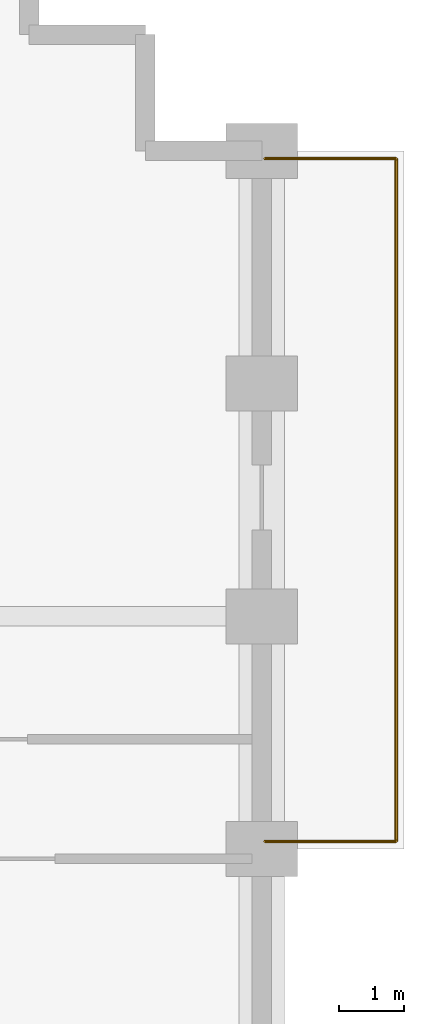
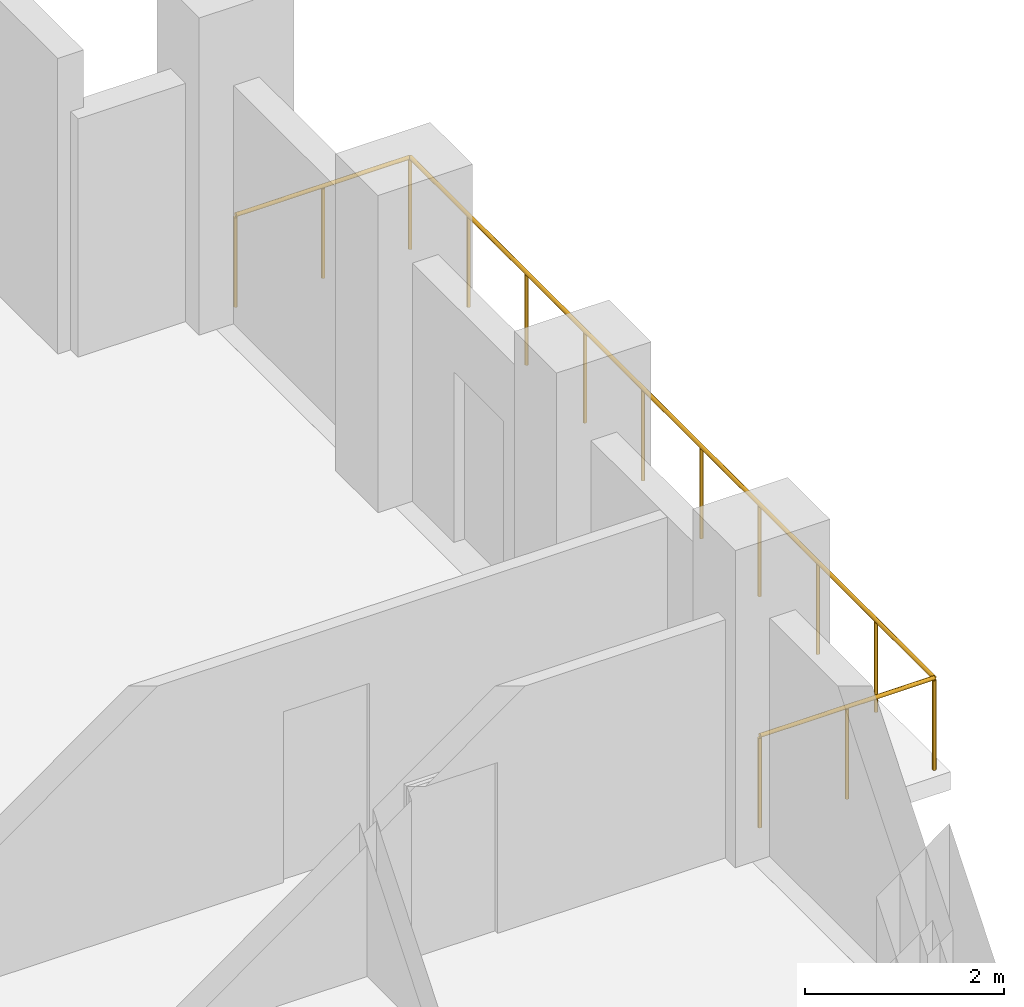
# One storey, part 8 of 8: 3 railings.
"""IFC4 building model written with IfcOpenShell, lengths in metres."""

from ifc_helpers import new_model, si_unit, direction, frame, origin, origin_2d, place, context, subcontext, project, spatial, circle, extrude, material, type_object, element, save


model = new_model("IFC4")

# Units and contexts
model_context = context("Model", 3, precision=1e-05, world=origin(), true_north=direction((0.0, 1.0)))
body_context = subcontext(model_context, "Body", "Model", "MODEL_VIEW")
ifc_project = project(units=[si_unit("LENGTHUNIT", "METRE"), si_unit("AREAUNIT", "SQUARE_METRE"), si_unit("VOLUMEUNIT", "CUBIC_METRE"), si_unit("PLANEANGLEUNIT", "RADIAN"), si_unit("MASSUNIT", "GRAM", prefix="KILO")], contexts=[model_context])

# Site, building, storey
site_placement = place(None, origin())
site = spatial("IfcSite", under=ifc_project, at=site_placement, CompositionType="ELEMENT")
building_placement = place(site_placement, origin())
building = spatial("IfcBuilding", under=site, at=building_placement, Name="Solnavia Interchange Tower", CompositionType="ELEMENT")
storey_placement = place(building_placement, frame((0.0, 0.0, 84.0)))
storey = spatial("IfcBuildingStorey", under=building, at=storey_placement, Name="L20", CompositionType="ELEMENT", Elevation=84.0)

# Railings
ifc_material = material(Name="Laminated Safety Glass & Stainless Steel", Category="steel")
railing_type = type_object("IfcRailingType", Name="Railing-TerraceGuard-1150", PredefinedType="GUARDRAIL", material=ifc_material)
railing_1_placement = place(storey_placement, frame((57.64990234375, 10.919921875, -0.0400390625)))
element("IfcRailing", 1, at=railing_1_placement, inside=storey, type_object=railing_type, Name="GRD-L20-TER-01 Perimeter terrace guardrail", PredefinedType="GUARDRAIL", context=body_context, shape_type="SweptSolid", body=[
    extrude(circle(Radius=0.02392578125, at=origin_2d()), frame((0.0, 0.0, 1.1259765625), z_axis=(1.0, 0.0, 0.0), x_axis=(0.0, 1.0, 0.0)), (0.0, 0.0, 1.0), 2.030029296875),
    extrude(circle(Radius=0.02099609375, at=origin_2d()), origin(), (0.0, 0.0, 1.0), 1.101806640625),
    extrude(circle(Radius=0.02099609375, at=origin_2d()), frame((1.01513671875, 0.0, 0.0)), (0.0, 0.0, 1.0), 1.101806640625),
    extrude(circle(Radius=0.02099609375, at=origin_2d()), frame((2.030029296875, 0.0, 0.0)), (0.0, 0.0, 1.0), 1.101806640625),
])
railing_2_placement = place(storey_placement, frame((59.679931640625, 10.919921875, -0.0400390625)))
element("IfcRailing", 2, at=railing_2_placement, inside=storey, type_object=railing_type, Name="GRD-L20-TER-02 Perimeter terrace guardrail", PredefinedType="GUARDRAIL", context=body_context, shape_type="SweptSolid", body=[
    extrude(circle(Radius=0.02392578125, at=origin_2d()), frame((0.0, 0.0, 1.1259765625), z_axis=(0.0, 1.0, 0.0), x_axis=(-1.0, 0.0, 0.0)), (0.0, 0.0, 1.0), 10.56005859375),
    extrude(circle(Radius=0.02099609375, at=origin_2d()), origin(), (0.0, 0.0, 1.0), 1.101806640625),
    extrude(circle(Radius=0.02099609375, at=origin_2d()), frame((0.0, 1.17333984375, 0.0)), (0.0, 0.0, 1.0), 1.101806640625),
    extrude(circle(Radius=0.02099609375, at=origin_2d()), frame((0.0, 2.3466796875, 0.0)), (0.0, 0.0, 1.0), 1.101806640625),
    extrude(circle(Radius=0.02099609375, at=origin_2d()), frame((0.0, 3.52001953125, 0.0)), (0.0, 0.0, 1.0), 1.101806640625),
    extrude(circle(Radius=0.02099609375, at=origin_2d()), frame((0.0, 4.693359375, 0.0)), (0.0, 0.0, 1.0), 1.101806640625),
    extrude(circle(Radius=0.02099609375, at=origin_2d()), frame((0.0, 5.86669921875, 0.0)), (0.0, 0.0, 1.0), 1.101806640625),
    extrude(circle(Radius=0.02099609375, at=origin_2d()), frame((0.0, 7.0400390625, 0.0)), (0.0, 0.0, 1.0), 1.101806640625),
    extrude(circle(Radius=0.02099609375, at=origin_2d()), frame((0.0, 8.21337890625, 0.0)), (0.0, 0.0, 1.0), 1.101806640625),
    extrude(circle(Radius=0.02099609375, at=origin_2d()), frame((0.0, 9.38671875, 0.0)), (0.0, 0.0, 1.0), 1.101806640625),
    extrude(circle(Radius=0.02099609375, at=origin_2d()), frame((0.0, 10.56005859375, 0.0)), (0.0, 0.0, 1.0), 1.101806640625),
])
railing_3_placement = place(storey_placement, frame((59.679931640625, 21.47998046875, -0.0400390625)))
element("IfcRailing", 3, at=railing_3_placement, inside=storey, type_object=railing_type, Name="GRD-L20-TER-03 Perimeter terrace guardrail", PredefinedType="GUARDRAIL", context=body_context, shape_type="SweptSolid", body=[
    extrude(circle(Radius=0.02392578125, at=origin_2d()), frame((0.0, 0.0, 1.1259765625), z_axis=(-1.0, 0.0, 0.0), x_axis=(0.0, -1.0, 0.0)), (0.0, 0.0, 1.0), 2.030029296875),
    extrude(circle(Radius=0.02099609375, at=origin_2d()), origin(), (0.0, 0.0, 1.0), 1.101806640625),
    extrude(circle(Radius=0.02099609375, at=origin_2d()), frame((-1.01513671875, 0.0, 0.0)), (0.0, 0.0, 1.0), 1.101806640625),
    extrude(circle(Radius=0.02099609375, at=origin_2d()), frame((-2.030029296875, 0.0, 0.0)), (0.0, 0.0, 1.0), 1.101806640625),
])

save(model, "model.ifc")
